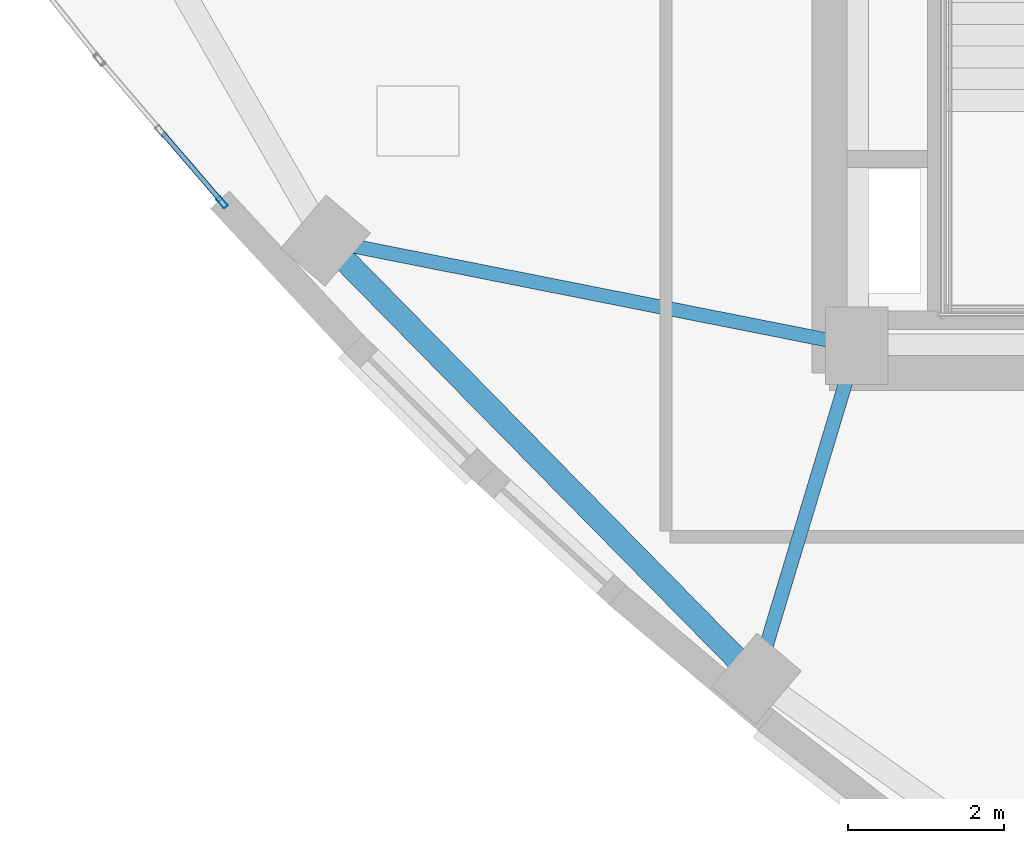
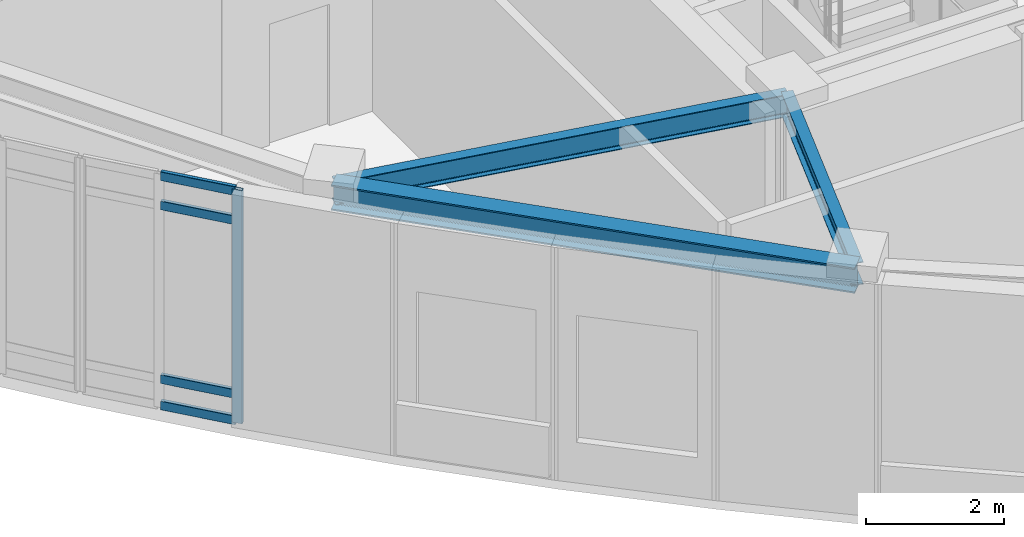
# One storey, part 2 of 19: 5 members, 3 beams, 1 element without a shape of its own.
"""IFC4 building model written with IfcOpenShell, lengths in metres."""

from ifc_helpers import new_model, si_unit, direction, frame, origin, origin_2d, place, context, subcontext, project, spatial, hollow_rectangle, i_section, extrude, material, layer, layer_set, material_profile, profile_set, type_object, element, aggregate, save


model = new_model("IFC4")

# Units and contexts
model_context = context("Model", 3, precision=1e-05, world=origin(), true_north=direction((0.0, 1.0)))
body_context = subcontext(model_context, "Body", "Model", "MODEL_VIEW")
ifc_project = project(units=[si_unit("LENGTHUNIT", "METRE"), si_unit("AREAUNIT", "SQUARE_METRE"), si_unit("VOLUMEUNIT", "CUBIC_METRE"), si_unit("PLANEANGLEUNIT", "RADIAN"), si_unit("MASSUNIT", "GRAM", prefix="KILO")], contexts=[model_context])

# Site, building, storey
site_placement = place(None, origin())
site = spatial("IfcSite", under=ifc_project, at=site_placement, CompositionType="ELEMENT")
building_placement = place(site_placement, origin())
building = spatial("IfcBuilding", under=site, at=building_placement, Name="Ndelora Gate Hotel", CompositionType="ELEMENT")
storey_placement = place(building_placement, frame((0.0, 0.0, 294.800048828125)))
storey = spatial("IfcBuildingStorey", under=building, at=storey_placement, Name="L73", CompositionType="ELEMENT", Elevation=294.800048828125)

# Beams
ifc_material_1 = material(Name="Steel S355", Category="steel")
ifc_material_profile_1 = material_profile(ifc_material_1, i_section(OverallWidth=0.179931640625, OverallDepth=0.39990234375, WebThickness=0.008544921875, FlangeThickness=0.013427734375, FilletRadius=0.02099609375, at=origin_2d()), Name="IPE 400")
ifc_profile_set_1 = profile_set([ifc_material_profile_1], Name="Steel S355")
beam_type_1 = type_object("IfcBeamType", Name="BM-RAD-400", PredefinedType="BEAM", material=ifc_profile_set_1)
beam_1_placement = place(storey_placement, frame((-8.0, -6.60009765625, 3.929931640625), z_axis=(-0.980943509294, 0.194293158846, 0.0), x_axis=(-0.194293158846, -0.980943509294, 0.0)))
element("IfcBeam", 1, at=beam_1_placement, inside=storey, type_object=beam_type_1, Name="L73 structural beam FB-5", PredefinedType="BEAM", context=body_context, shape_type="SweptSolid", body=[
    extrude(i_section(OverallWidth=0.179931640625, OverallDepth=0.39990234375, WebThickness=0.008544921875, FlangeThickness=0.013427734375, FilletRadius=0.02099609375, at=origin_2d()), origin(), (0.0, 0.0, 1.0), 6.955078125),
])
beam_2_placement = place(storey_placement, frame((-8.0, -6.60009765625, 3.929931640625), z_axis=(-0.288626468578, -0.957441779763, 0.0), x_axis=(0.957441779763, -0.288626468578, 0.0)))
element("IfcBeam", 2, at=beam_2_placement, inside=storey, type_object=beam_type_1, Name="L73 structural beam FB-5", PredefinedType="BEAM", context=body_context, shape_type="SweptSolid", body=[
    extrude(i_section(OverallWidth=0.179931640625, OverallDepth=0.39990234375, WebThickness=0.008544921875, FlangeThickness=0.013427734375, FilletRadius=0.02099609375, at=origin_2d()), origin(), (0.0, 0.0, 1.0), 4.46630859375),
])
ifc_material_profile_2 = material_profile(ifc_material_1, i_section(OverallWidth=0.300048828125, OverallDepth=0.449951171875, WebThickness=0.013916015625, FlangeThickness=0.02587890625, FilletRadius=0.027099609375, at=origin_2d()), Name="HEB 450")
ifc_profile_set_2 = profile_set([ifc_material_profile_2], Name="Steel S355")
beam_type_2 = type_object("IfcBeamType", Name="BM-RING-450", PredefinedType="SPANDREL", material=ifc_profile_set_2)
beam_3_placement = place(storey_placement, frame((-14.822509765625, -5.248779296875, 3.905029296875), z_axis=(0.701126845775, -0.713036567179, 0.0), x_axis=(0.713036567179, 0.701126845775, 0.0)))
element("IfcBeam", 3, at=beam_3_placement, inside=storey, type_object=beam_type_2, Name="L73 structural beam RB-5", PredefinedType="SPANDREL", context=body_context, shape_type="SweptSolid", body=[
    extrude(i_section(OverallWidth=0.300048828125, OverallDepth=0.449951171875, WebThickness=0.013916015625, FlangeThickness=0.02587890625, FilletRadius=0.027099609375, at=origin_2d()), origin(), (0.0, 0.0, 1.0), 7.892333984375),
])

# Curtain wall, members
ifc_material_2 = material(Name="Bronze Anodised Unitised Aluminium and Low-E Glass", Category="aluminium")
ifc_layer = layer(ifc_material_2, 0.219970703125)
ifc_layer_set = layer_set([ifc_layer], Name="Bronze Anodised Unitised Aluminium and Low-E Glass")
curtain_wall_type = type_object("IfcCurtainWallType", Name="CW-SYS-7", PredefinedType="NOTDEFINED", material=ifc_layer_set)
curtain_wall_placement = place(storey_placement, origin())
curtain_wall = element("IfcCurtainWall", 4, at=curtain_wall_placement, inside=storey, type_object=curtain_wall_type, Name="L73 West Peak Horizon Observatory Curtain Wall 2", PredefinedType="NOTDEFINED")
ifc_material_3 = material(Name="Bronze Anodised Aluminium 6063-T6", Category="aluminium")
ifc_material_profile_3 = material_profile(ifc_material_3, hollow_rectangle(XDim=0.06494140625, YDim=0.159912109375, WallThickness=0.00390625, InnerFilletRadius=0.00390625, OuterFilletRadius=0.008056640625, at=origin_2d()), Name="ALU 160x65x4")
ifc_profile_set_3 = profile_set([ifc_material_profile_3], Name="Bronze Anodised Aluminium 6063-T6")
member_type_1 = type_object("IfcMemberType", Name="MB-CW-MUL150", PredefinedType="MULLION", material=ifc_profile_set_3)
member_1_placement = place(storey_placement, frame((-16.151123046875, -4.755615234375, -0.004150390625), z_axis=(0.0, 0.0, 1.0), x_axis=(0.75852990573, 0.651638229475, 0.0)))
member_1 = element("IfcMember", 5, at=member_1_placement, type_object=member_type_1, Name="CW7 mullion 3", PredefinedType="MULLION", context=body_context, shape_type="SweptSolid", body=[
    extrude(hollow_rectangle(XDim=0.06494140625, YDim=0.159912109375, WallThickness=0.00390625, InnerFilletRadius=0.00390625, OuterFilletRadius=0.008056640625, at=origin_2d()), origin(), (0.0, 0.0, 1.0), 4.13818359375),
])
ifc_material_profile_4 = material_profile(ifc_material_3, hollow_rectangle(XDim=0.06494140625, YDim=0.159912109375, WallThickness=0.00390625, InnerFilletRadius=0.00390625, OuterFilletRadius=0.008056640625, at=origin_2d()), Name="ALU 160x65x4")
ifc_profile_set_4 = profile_set([ifc_material_profile_4], Name="Bronze Anodised Aluminium 6063-T6")
member_type_2 = type_object("IfcMemberType", Name="MB-CW-TRN150", PredefinedType="USERDEFINED", material=ifc_profile_set_4)
member_2_placement = place(storey_placement, frame((-16.9169921875, -3.864013671875, 0.032470703125), z_axis=(0.65163111185, -0.758536020285, 0.0), x_axis=(0.758536020285, 0.65163111185, 0.0)))
member_2 = element("IfcMember", 6, at=member_2_placement, type_object=member_type_2, Name="CW7 transom 2.1", ObjectType="TRANSOM", PredefinedType="USERDEFINED", context=body_context, shape_type="SweptSolid", body=[
    extrude(hollow_rectangle(XDim=0.06494140625, YDim=0.159912109375, WallThickness=0.00390625, InnerFilletRadius=0.00390625, OuterFilletRadius=0.008056640625, at=origin_2d()), origin(), (0.0, 0.0, 1.0), 1.148681640625),
])
member_3_placement = place(storey_placement, frame((-16.9169921875, -3.864013671875, 0.5), z_axis=(0.65163111185, -0.758536020285, 0.0), x_axis=(0.758536020285, 0.65163111185, 0.0)))
member_3 = element("IfcMember", 7, at=member_3_placement, type_object=member_type_2, Name="CW7 transom 2.2", ObjectType="TRANSOM", PredefinedType="USERDEFINED", context=body_context, shape_type="SweptSolid", body=[
    extrude(hollow_rectangle(XDim=0.06494140625, YDim=0.159912109375, WallThickness=0.00390625, InnerFilletRadius=0.00390625, OuterFilletRadius=0.008056640625, at=origin_2d()), origin(), (0.0, 0.0, 1.0), 1.148681640625),
])
member_4_placement = place(storey_placement, frame((-16.9169921875, -3.864013671875, 3.579833984375), z_axis=(0.65163111185, -0.758536020285, 0.0), x_axis=(0.758536020285, 0.65163111185, 0.0)))
member_4 = element("IfcMember", 8, at=member_4_placement, type_object=member_type_2, Name="CW7 transom 2.3", ObjectType="TRANSOM", PredefinedType="USERDEFINED", context=body_context, shape_type="SweptSolid", body=[
    extrude(hollow_rectangle(XDim=0.06494140625, YDim=0.159912109375, WallThickness=0.00390625, InnerFilletRadius=0.00390625, OuterFilletRadius=0.008056640625, at=origin_2d()), origin(), (0.0, 0.0, 1.0), 1.148681640625),
])
member_5_placement = place(storey_placement, frame((-16.9169921875, -3.864013671875, 4.097412109375), z_axis=(0.65163111185, -0.758536020285, 0.0), x_axis=(0.758536020285, 0.65163111185, 0.0)))
member_5 = element("IfcMember", 9, at=member_5_placement, type_object=member_type_2, Name="CW7 transom 2.4", ObjectType="TRANSOM", PredefinedType="USERDEFINED", context=body_context, shape_type="SweptSolid", body=[
    extrude(hollow_rectangle(XDim=0.06494140625, YDim=0.159912109375, WallThickness=0.00390625, InnerFilletRadius=0.00390625, OuterFilletRadius=0.008056640625, at=origin_2d()), origin(), (0.0, 0.0, 1.0), 1.148681640625),
])
aggregate(curtain_wall, [member_1, member_2, member_3, member_4, member_5])

save(model, "model.ifc")
